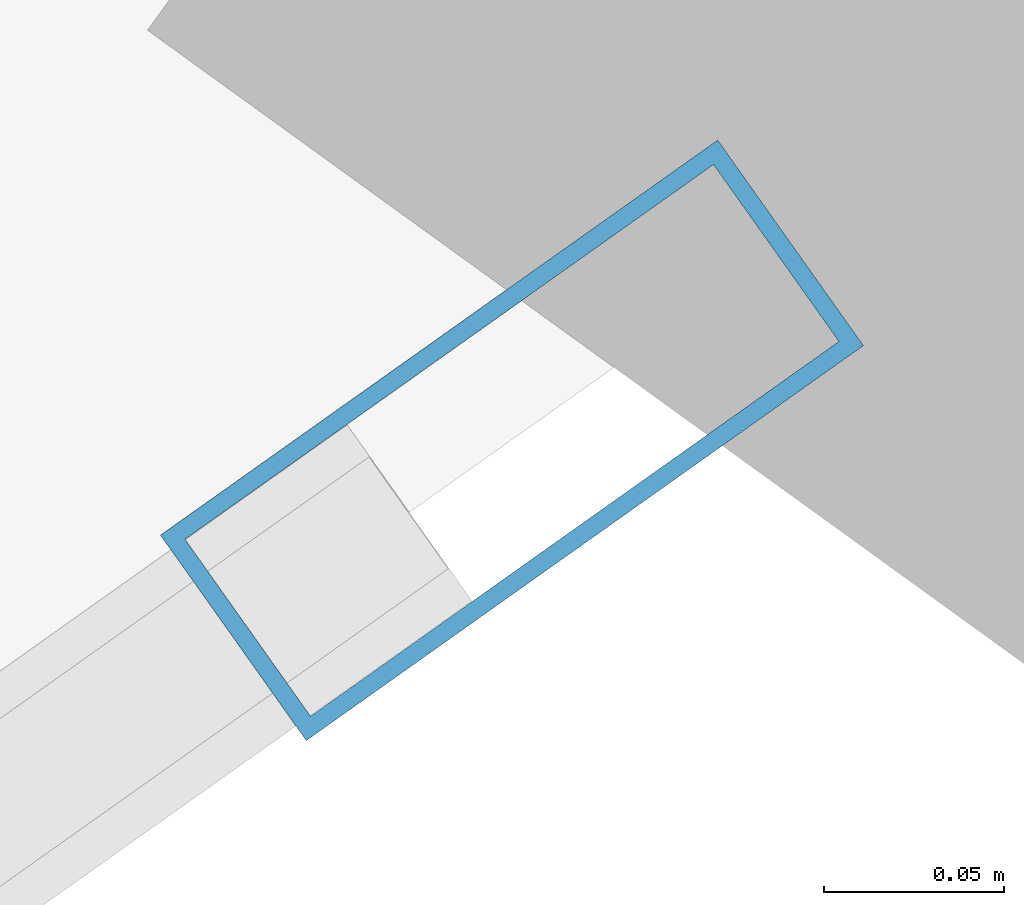
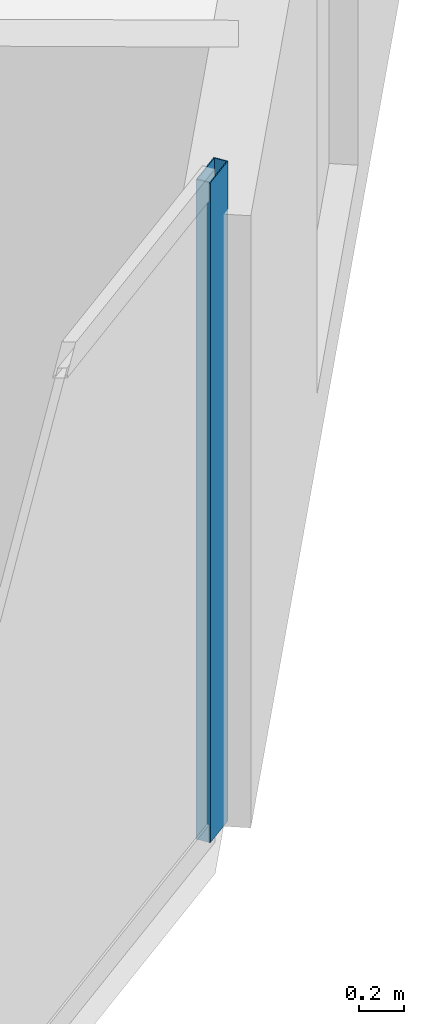
# One storey, part 10 of 26: 1 member, 1 element without a shape of its own.
"""IFC4 building model written with IfcOpenShell, lengths in metres."""

import ifcopenshell
import ifcopenshell.guid

model = None  # the IFC model being written
_history = None  # IfcOwnerHistory: only IFC2X3 demands one
_inside = {}  # id of a spatial element -> (the spatial element, [elements in it])
_under = {}  # id of a project, library or spatial element -> (it, [spatial elements below it])
_declared = {}  # id of a project -> (the project, [libraries it declares])
_typed = {}  # id of a type object -> (the type object, [elements of that type])
_made_of = {}  # id of a material, layer set ... -> (it, [elements and type objects made of it])


def new_model(schema):
    """Start an empty IFC model of exactly this schema.

    Asked for "IFC4X3", IfcOpenShell would pick the latest addendum, in which some entities
    have other attributes; the version numbers below select the first issue.
    IFC2X3 requires an IfcOwnerHistory on every rooted entity: one is made here for all.
    """
    global model, _history
    if schema == "IFC4X3":
        model = ifcopenshell.file(schema_version=(4, 3, 0, 0))
    else:
        model = ifcopenshell.file(schema=schema)
    _inside.clear()
    _under.clear()
    _declared.clear()
    _typed.clear()
    _made_of.clear()
    _history = None
    if model.schema == "IFC2X3":
        org = make("IfcOrganization", Name="unknown")
        user = make(
            "IfcPersonAndOrganization",
            ThePerson=make("IfcPerson", FamilyName="unknown"),
            TheOrganization=org,
        )
        app = make(
            "IfcApplication",
            ApplicationDeveloper=org,
            Version="unknown",
            ApplicationFullName="unknown",
            ApplicationIdentifier="unknown",
        )
        _history = make(
            "IfcOwnerHistory",
            OwningUser=user,
            OwningApplication=app,
            ChangeAction="ADDED",
            CreationDate=0,
        )
    return model


def make(cls, **values):
    """One entity of the class cls with the attributes given. An attribute that is None is left unset."""
    return model.create_entity(
        cls, **{name: value for name, value in values.items() if value is not None}
    )


def rooted(cls, **values):
    """An entity with a GlobalId (a new one), such as an element, a storey or a relation."""
    return make(cls, GlobalId=ifcopenshell.guid.new(), OwnerHistory=_history, **values)


def si_unit(unit_type, name, prefix=None):
    """IfcSIUnit, for example si_unit("LENGTHUNIT", "METRE", prefix="MILLI")."""
    return make("IfcSIUnit", UnitType=unit_type, Prefix=prefix, Name=name)


def assignment(units):
    """IfcUnitAssignment: the units of a project."""
    return None if units is None else make("IfcUnitAssignment", Units=units)


def point(xyz):
    """IfcCartesianPoint."""
    return None if xyz is None else make("IfcCartesianPoint", Coordinates=xyz)


def direction(xyz):
    """IfcDirection."""
    return None if xyz is None else make("IfcDirection", DirectionRatios=xyz)


def frame(location, z_axis=None, x_axis=None):
    """IfcAxis2Placement3D, a coordinate frame: its origin and axes. An axis left out is left unset."""
    return make(
        "IfcAxis2Placement3D",
        Location=point(location),
        Axis=direction(z_axis),
        RefDirection=direction(x_axis),
    )


def frame_2d(location, x_axis=None):
    """IfcAxis2Placement2D, a coordinate frame in the plane: its origin and x axis."""
    return make(
        "IfcAxis2Placement2D", Location=point(location), RefDirection=direction(x_axis)
    )


def origin():
    """The frame at (0, 0, 0) with its axes left unset."""
    return frame((0.0, 0.0, 0.0))


def origin_2d():
    """The frame at (0, 0) in the plane with its x axis left unset."""
    return frame_2d((0.0, 0.0))


def place(relative_to, where):
    """IfcLocalPlacement: puts the frame where relative to a parent placement (None: the world)."""
    return make(
        "IfcLocalPlacement", PlacementRelTo=relative_to, RelativePlacement=where
    )


def context(
    kind, dimensions, precision=None, world=None, true_north=None, identifier=None
):
    """IfcGeometricRepresentationContext, for example the 3D "Model" context."""
    return make(
        "IfcGeometricRepresentationContext",
        ContextIdentifier=identifier,
        ContextType=kind,
        CoordinateSpaceDimension=dimensions,
        Precision=precision,
        WorldCoordinateSystem=world,
        TrueNorth=true_north,
    )


def subcontext(parent, identifier, kind, view, scale=None):
    """IfcGeometricRepresentationSubContext, for example "Body" below "Model"."""
    return make(
        "IfcGeometricRepresentationSubContext",
        ContextIdentifier=identifier,
        ContextType=kind,
        ParentContext=parent,
        TargetScale=scale,
        TargetView=view,
    )


def project(units=None, contexts=None):
    """IfcProject with its units and contexts."""
    return rooted(
        "IfcProject",
        Name="project",
        RepresentationContexts=contexts,
        UnitsInContext=assignment(units),
    )


def spatial(cls, under=None, at=None, **own):
    """A site, building, storey or space (cls), placed at a placement, below another one or the project."""
    s = rooted(cls, ObjectPlacement=at, **own)
    if under is not None:
        _under.setdefault(under.id(), (under, []))[1].append(s)
    return s


def profile(cls, at=None, kind="AREA", **sizes):
    """A parametric profile (cls). Its sizes go by their IFC names, for example OverallWidth=200.0."""
    return make(cls, ProfileType=kind, Position=at, **sizes)


def hollow_rectangle(**sizes):
    """IfcRectangleHollowProfileDef."""
    return profile("IfcRectangleHollowProfileDef", **sizes)


def extrude(swept, where, along, depth):
    """IfcExtrudedAreaSolid: the profile swept, set in the frame where, extruded along a direction by depth."""
    return make(
        "IfcExtrudedAreaSolid",
        SweptArea=swept,
        Position=where,
        ExtrudedDirection=direction(along),
        Depth=depth,
    )


def shape(context_of_items, identifier, shape_type, items):
    """IfcShapeRepresentation: the items that make up one representation, for example the "Body"."""
    return make(
        "IfcShapeRepresentation",
        ContextOfItems=context_of_items,
        RepresentationIdentifier=identifier,
        RepresentationType=shape_type,
        Items=items,
    )


def source(mapping_origin, context_of_items, identifier, shape_type, items):
    """IfcRepresentationMap: a shape defined once, which mapped items show again and again."""
    return make(
        "IfcRepresentationMap",
        MappingOrigin=mapping_origin,
        MappedRepresentation=shape(context_of_items, identifier, shape_type, items),
    )


def transform(
    local_origin,
    x_axis=None,
    y_axis=None,
    z_axis=None,
    scale=None,
    scale2=None,
    scale3=None,
    uniform=True,
):
    """IfcCartesianTransformationOperator3D, or its non-uniform kind. x_axis, y_axis, z_axis: its Axis1, 2, 3."""
    if uniform:
        return make(
            "IfcCartesianTransformationOperator3D",
            Axis1=direction(x_axis),
            Axis2=direction(y_axis),
            LocalOrigin=point(local_origin),
            Scale=scale,
            Axis3=direction(z_axis),
        )
    return make(
        "IfcCartesianTransformationOperator3DnonUniform",
        Axis1=direction(x_axis),
        Axis2=direction(y_axis),
        LocalOrigin=point(local_origin),
        Scale=scale,
        Axis3=direction(z_axis),
        Scale2=scale2,
        Scale3=scale3,
    )


def mapped(mapping_source, mapping_target):
    """IfcMappedItem: shows the shape of a source again, moved by a transform."""
    return make(
        "IfcMappedItem", MappingSource=mapping_source, MappingTarget=mapping_target
    )


def material(Name=None, Category=None):
    """IfcMaterial."""
    return make("IfcMaterial", Name=Name, Category=Category)


def layer(
    of_material, thickness, ventilated=None, Name=None, Category=None, Priority=None
):
    """IfcMaterialLayer: one layer of a wall or slab, of a material (None: an air gap)."""
    return make(
        "IfcMaterialLayer",
        Material=of_material,
        LayerThickness=thickness,
        IsVentilated=ventilated,
        Name=Name,
        Category=Category,
        Priority=Priority,
    )


def layer_set(layers, Name=None):
    """IfcMaterialLayerSet."""
    return make("IfcMaterialLayerSet", MaterialLayers=layers, LayerSetName=Name)


def material_profile(
    of_material, cross_section, Name=None, Category=None, Priority=None
):
    """IfcMaterialProfile: a cross section and its material."""
    return make(
        "IfcMaterialProfile",
        Name=Name,
        Material=of_material,
        Profile=cross_section,
        Priority=Priority,
        Category=Category,
    )


def profile_set(profiles, Name=None, composite=None):
    """IfcMaterialProfileSet."""
    return make(
        "IfcMaterialProfileSet",
        Name=Name,
        MaterialProfiles=profiles,
        CompositeProfile=composite,
    )


def made_of(thing, what):
    """Note that an element or type object is made of a material, layer set ...; save() writes the relation."""
    if what is not None:
        _made_of.setdefault(what.id(), (what, []))[1].append(thing)
    return thing


def type_object(cls, material=None, **own):
    """A type object (cls), such as IfcWallType, which elements share."""
    return made_of(rooted(cls, **own), material)


def element(
    cls,
    number,
    at=None,
    inside=None,
    cuts=None,
    type_object=None,
    material=None,
    context=None,
    identifier="Body",
    shape_type=None,
    held_by="IfcProductDefinitionShape",
    body=None,
    shapes=None,
    **own,
):
    """One element of the class cls, such as IfcWall. Its Tag is "e" and its number.

    at: its placement. inside: the storey or other place that contains it. cuts: it is an
    opening in that element (IfcRelVoidsElement). A single representation is given by context,
    identifier, shape_type and body (its items); several are given by shapes. held_by: the class
    of the entity that holds the representations. save() writes the other relations.
    """
    e = rooted(cls, Tag="e%d" % number, ObjectPlacement=at, **own)
    if body is not None:
        shapes = [shape(context, identifier, shape_type, body)]
    if shapes is not None:
        e.Representation = make(held_by, Representations=shapes)
    if inside is not None:
        _inside.setdefault(inside.id(), (inside, []))[1].append(e)
    if cuts is not None:
        rooted(
            "IfcRelVoidsElement", RelatingBuildingElement=cuts, RelatedOpeningElement=e
        )
    if type_object is not None:
        _typed.setdefault(type_object.id(), (type_object, []))[1].append(e)
    return made_of(e, material)


def aggregate(whole, parts):
    """IfcRelAggregates: a whole, such as a stair, and the parts it consists of."""
    return rooted("IfcRelAggregates", RelatingObject=whole, RelatedObjects=parts)


def save(model, path):
    """Write the relations noted so far, then the file.

    IfcRelAggregates (storeys below a building ...), IfcRelContainedInSpatialStructure (elements
    in a storey), IfcRelDefinesByType, IfcRelAssociatesMaterial and IfcRelDeclares: one each for
    every whole, place, type object, material and project.
    """
    for whole, parts in _under.values():
        aggregate(whole, parts)
    for where, things in _inside.values():
        rooted(
            "IfcRelContainedInSpatialStructure",
            RelatedElements=things,
            RelatingStructure=where,
        )
    for kind, things in _typed.values():
        rooted("IfcRelDefinesByType", RelatedObjects=things, RelatingType=kind)
    for what, things in _made_of.values():
        rooted("IfcRelAssociatesMaterial", RelatedObjects=things, RelatingMaterial=what)
    for by, libraries in _declared.values():
        rooted("IfcRelDeclares", RelatingContext=by, RelatedDefinitions=libraries)
    model.write(path)


model = new_model("IFC4")

# Units and contexts
model_context = context("Model", 3, precision=1e-05, world=origin(), true_north=direction((0.0, 1.0)))
body_context = subcontext(model_context, "Body", "Model", "MODEL_VIEW")
ifc_project = project(units=[si_unit("LENGTHUNIT", "METRE"), si_unit("AREAUNIT", "SQUARE_METRE"), si_unit("VOLUMEUNIT", "CUBIC_METRE"), si_unit("PLANEANGLEUNIT", "RADIAN"), si_unit("MASSUNIT", "GRAM", prefix="KILO")], contexts=[model_context])

# Site, building, storey
site_placement = place(None, origin())
site = spatial("IfcSite", under=ifc_project, at=site_placement, CompositionType="ELEMENT")
building_placement = place(site_placement, origin())
building = spatial("IfcBuilding", under=site, at=building_placement, Name="Solvirekh Grand Hotel", CompositionType="ELEMENT")
storey_placement = place(building_placement, frame((0.0, 0.0, 32.0)))
storey = spatial("IfcBuildingStorey", under=building, at=storey_placement, Name="L06", CompositionType="ELEMENT", Elevation=32.0)

# Curtain wall, member
ifc_material = material(Name="Anodized Bronze Aluminium 6063-T6", Category="aluminium")
ifc_layer = layer(ifc_material, 0.18994140625)
ifc_layer_set = layer_set([ifc_layer], Name="Anodized Bronze Aluminium 6063-T6")
curtain_wall_type = type_object("IfcCurtainWallType", Name="CW_Sys2_LowZoneFlushBronzeCW", PredefinedType="NOTDEFINED", material=ifc_layer_set)
curtain_wall_placement = place(storey_placement, origin())
curtain_wall = element("IfcCurtainWall", 1, at=curtain_wall_placement, inside=storey, type_object=curtain_wall_type, Name="L06 unitised bronze-glass curtain wall CW-L06-C18", PredefinedType="NOTDEFINED")
ifc_material_profile = material_profile(ifc_material, hollow_rectangle(XDim=0.070068359375, YDim=0.18994140625, WallThickness=0.0048828125, at=origin_2d()), Name="ALU RHS 190X70X5")
ifc_profile_set = profile_set([ifc_material_profile], Name="Anodized Bronze Aluminium 6063-T6")
member_type = type_object("IfcMemberType", Name="CWMullion_Sys2", PredefinedType="MULLION", material=ifc_profile_set)
shared_shape = source(origin(), body_context, "Body", "SweptSolid", [
    extrude(hollow_rectangle(XDim=0.070068359375, YDim=0.18994140625, WallThickness=0.0048828125, at=origin_2d()), origin(), (0.0, 0.0, 1.0), 3.60009765625),
])
member_placement = place(storey_placement, frame((22.049560546875, -14.38525390625, 0.0), z_axis=(0.0, 0.0, 1.0), x_axis=(-0.578373813708, 0.815771862482, 0.0)))
member = element("IfcMember", 2, at=member_placement, type_object=member_type, Name="U02 mullion 3", PredefinedType="MULLION", context=body_context, shape_type="MappedRepresentation", body=[
    mapped(shared_shape, transform((0.0, 0.0, 0.0), x_axis=(1.0, 0.0, 0.0), y_axis=(0.0, 1.0, 0.0), z_axis=(0.0, 0.0, 1.0), scale=1.0)),
])
aggregate(curtain_wall, [member])

save(model, "model.ifc")
